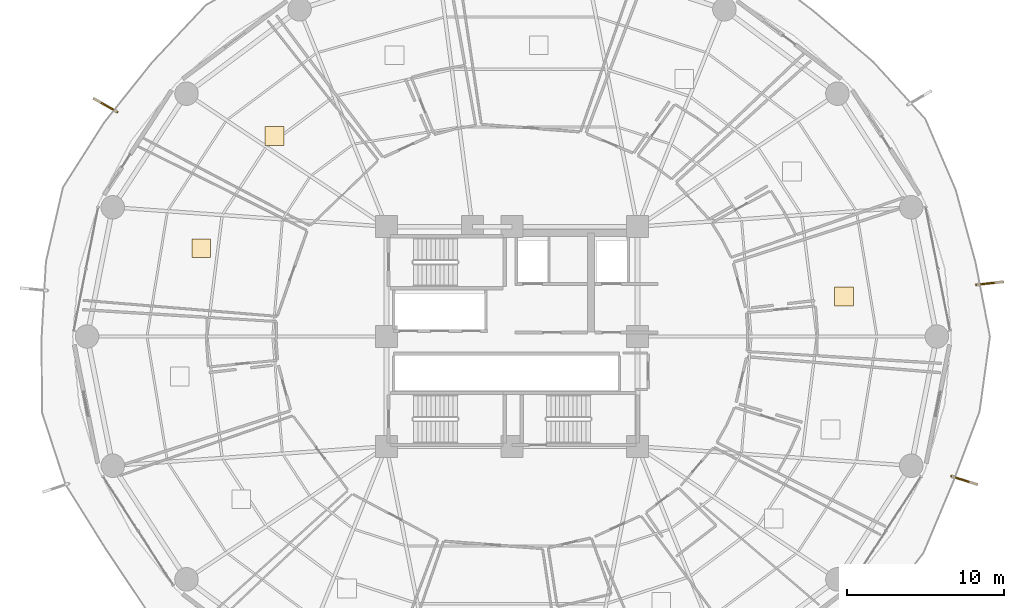
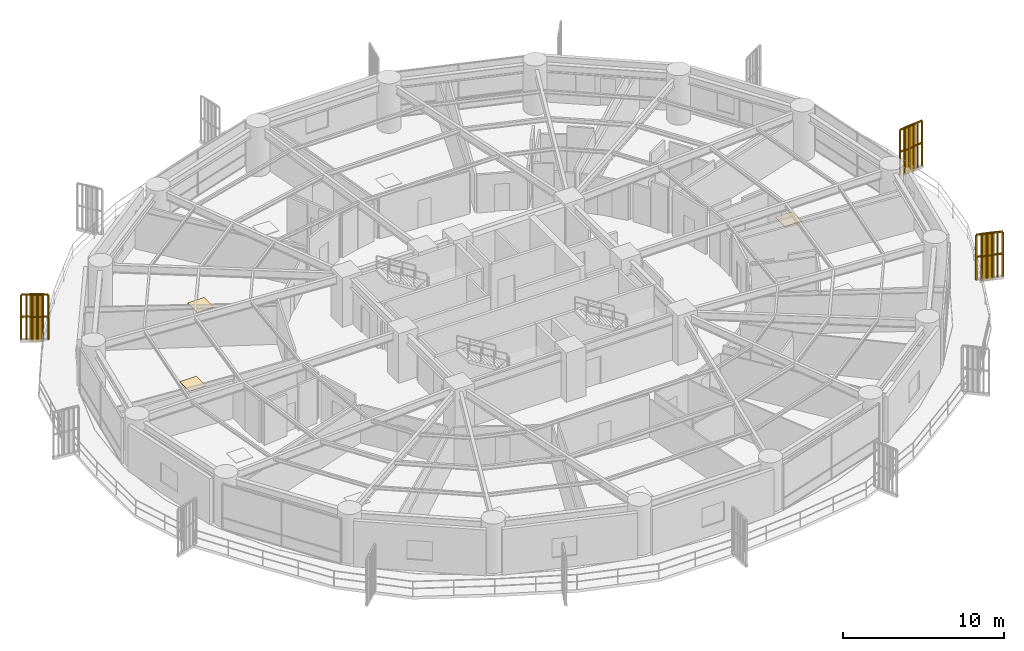
# One storey, part 30 of 32: 3 coverings, 3 railings, 3 shading devices.
"""IFC4 building model written with IfcOpenShell, lengths in metres."""

from ifc_helpers import new_model, si_unit, direction, frame, origin, origin_2d, place, context, subcontext, project, spatial, polyline, rectangle, outline, extrude, source, transform, mapped, material, layer, layer_set, type_object, element, save


model = new_model("IFC4")

# Units and contexts
model_context = context("Model", 3, precision=1e-05, world=origin(), true_north=direction((0.0, 1.0)))
body_context = subcontext(model_context, "Body", "Model", "MODEL_VIEW")
ifc_project = project(units=[si_unit("LENGTHUNIT", "METRE"), si_unit("AREAUNIT", "SQUARE_METRE"), si_unit("VOLUMEUNIT", "CUBIC_METRE"), si_unit("PLANEANGLEUNIT", "RADIAN"), si_unit("MASSUNIT", "GRAM", prefix="KILO")], contexts=[model_context])

# Site, building, storey
site_placement = place(None, origin())
site = spatial("IfcSite", under=ifc_project, at=site_placement, CompositionType="ELEMENT")
building_placement = place(site_placement, origin())
building = spatial("IfcBuilding", under=site, at=building_placement, Name="Kelanora Arch Commons", CompositionType="ELEMENT")
storey_placement = place(building_placement, frame((0.0, 0.0, 56.25)))
storey = spatial("IfcBuildingStorey", under=building, at=storey_placement, Name="L14", CompositionType="ELEMENT", Elevation=56.25)

# Railings
ifc_material_1 = material(Name="Anodised bronze vertical shading fin rib assembly")
railing_type = type_object("IfcRailingType", Name="RAIL-FIN-BRZ", PredefinedType="BALUSTRADE", material=ifc_material_1)
railing_1_placement = place(storey_placement, frame((48.83154296875, 72.32275390625, -0.02001953125)))
element("IfcRailing", 1, at=railing_1_placement, inside=storey, type_object=railing_type, Name="Sweeping Bronze Vertical Fin Blade L14-05", PredefinedType="BALUSTRADE", context=body_context, shape_type="SweptSolid", body=[
    extrude(outline(polyline([(0.06982421875, 0.0), (0.034912109375, 0.060546875), (-0.034912109375, 0.060546875), (-0.06982421875, 0.0), (-0.034912109375, -0.060546875), (0.034912109375, -0.060546875), (0.06982421875, 0.0)])), frame((0.0, 0.0, 3.419921875), z_axis=(-0.869102892751, 0.494631339294, 0.0), x_axis=(-0.494631339294, -0.869102892751, 0.0)), (0.0, 0.0, 1.0), 1.6923828125),
    extrude(outline(polyline([(0.06982421875, 0.0), (0.034912109375, 0.060546875), (-0.034912109375, 0.060546875), (-0.06982421875, 0.0), (-0.034912109375, -0.060546875), (0.034912109375, -0.060546875), (0.06982421875, 0.0)])), frame((0.0, 0.0, 1.7451171875), z_axis=(-0.869102892751, 0.494631339294, 0.0), x_axis=(-0.494631339294, -0.869102892751, 0.0)), (0.0, 0.0, 1.0), 1.6923828125),
    extrude(outline(polyline([(0.080078125, 0.0), (0.0400390625, 0.0693359375), (-0.0400390625, 0.0693359375), (-0.080078125, 0.0), (-0.0400390625, -0.0693359375), (0.0400390625, -0.0693359375), (0.080078125, 0.0)])), origin(), (0.0, 0.0, 1.0), 3.35009765625),
    extrude(outline(polyline([(0.080078125, 0.0), (0.0400390625, 0.0693359375), (-0.0400390625, 0.0693359375), (-0.080078125, 0.0), (-0.0400390625, -0.0693359375), (0.0400390625, -0.0693359375), (0.080078125, 0.0)])), frame((-0.294189453125, 0.16748046875, 0.0)), (0.0, 0.0, 1.0), 3.35009765625),
    extrude(outline(polyline([(0.080078125, 0.0), (0.0400390625, 0.0693359375), (-0.0400390625, 0.0693359375), (-0.080078125, 0.0), (-0.0400390625, -0.0693359375), (0.0400390625, -0.0693359375), (0.080078125, 0.0)])), frame((-0.58837890625, 0.3349609375, 0.0)), (0.0, 0.0, 1.0), 3.35009765625),
    extrude(outline(polyline([(0.080078125, 0.0), (0.0400390625, 0.0693359375), (-0.0400390625, 0.0693359375), (-0.080078125, 0.0), (-0.0400390625, -0.0693359375), (0.0400390625, -0.0693359375), (0.080078125, 0.0)])), frame((-0.882568359375, 0.502197265625, 0.0)), (0.0, 0.0, 1.0), 3.35009765625),
    extrude(outline(polyline([(0.080078125, 0.0), (0.0400390625, 0.0693359375), (-0.0400390625, 0.0693359375), (-0.080078125, 0.0), (-0.0400390625, -0.0693359375), (0.0400390625, -0.0693359375), (0.080078125, 0.0)])), frame((-1.1767578125, 0.669677734375, 0.0)), (0.0, 0.0, 1.0), 3.35009765625),
    extrude(outline(polyline([(0.080078125, 0.0), (0.0400390625, 0.0693359375), (-0.0400390625, 0.0693359375), (-0.080078125, 0.0), (-0.0400390625, -0.0693359375), (0.0400390625, -0.0693359375), (0.080078125, 0.0)])), frame((-1.470947265625, 0.837158203125, 0.0)), (0.0, 0.0, 1.0), 3.35009765625),
])
railing_2_placement = place(storey_placement, frame((102.01953125, 49.08837890625, -0.02001953125)))
element("IfcRailing", 2, at=railing_2_placement, inside=storey, type_object=railing_type, Name="Sweeping Bronze Vertical Fin Blade L14-13", PredefinedType="BALUSTRADE", context=body_context, shape_type="SweptSolid", body=[
    extrude(outline(polyline([(0.06982421875, 0.0), (0.034912109375, 0.060546875), (-0.034912109375, 0.060546875), (-0.06982421875, 0.0), (-0.034912109375, -0.060546875), (0.034912109375, -0.060546875), (0.06982421875, 0.0)])), frame((0.0, 0.0, 3.419921875), z_axis=(0.952976912573, -0.303042908024, 0.0), x_axis=(0.303042908024, 0.952976912573, 0.0)), (0.0, 0.0, 1.0), 1.692626953125),
    extrude(outline(polyline([(0.06982421875, 0.0), (0.034912109375, 0.060546875), (-0.034912109375, 0.060546875), (-0.06982421875, 0.0), (-0.034912109375, -0.060546875), (0.034912109375, -0.060546875), (0.06982421875, 0.0)])), frame((0.0, 0.0, 1.7451171875), z_axis=(0.952976912573, -0.303042908024, 0.0), x_axis=(0.303042908024, 0.952976912573, 0.0)), (0.0, 0.0, 1.0), 1.692626953125),
    extrude(outline(polyline([(0.080078125, 0.0), (0.0400390625, 0.0693359375), (-0.0400390625, 0.0693359375), (-0.080078125, 0.0), (-0.0400390625, -0.0693359375), (0.0400390625, -0.0693359375), (0.080078125, 0.0)])), origin(), (0.0, 0.0, 1.0), 3.35009765625),
    extrude(outline(polyline([(0.080078125, 0.0), (0.0400390625, 0.0693359375), (-0.0400390625, 0.0693359375), (-0.080078125, 0.0), (-0.0400390625, -0.0693359375), (0.0400390625, -0.0693359375), (0.080078125, 0.0)])), frame((0.322509765625, -0.1025390625, 0.0)), (0.0, 0.0, 1.0), 3.35009765625),
    extrude(outline(polyline([(0.080078125, 0.0), (0.0400390625, 0.0693359375), (-0.0400390625, 0.0693359375), (-0.080078125, 0.0), (-0.0400390625, -0.0693359375), (0.0400390625, -0.0693359375), (0.080078125, 0.0)])), frame((0.645263671875, -0.205078125, 0.0)), (0.0, 0.0, 1.0), 3.35009765625),
    extrude(outline(polyline([(0.080078125, 0.0), (0.0400390625, 0.0693359375), (-0.0400390625, 0.0693359375), (-0.080078125, 0.0), (-0.0400390625, -0.0693359375), (0.0400390625, -0.0693359375), (0.080078125, 0.0)])), frame((0.9677734375, -0.307861328125, 0.0)), (0.0, 0.0, 1.0), 3.35009765625),
    extrude(outline(polyline([(0.080078125, 0.0), (0.0400390625, 0.0693359375), (-0.0400390625, 0.0693359375), (-0.080078125, 0.0), (-0.0400390625, -0.0693359375), (0.0400390625, -0.0693359375), (0.080078125, 0.0)])), frame((1.29052734375, -0.410400390625, 0.0)), (0.0, 0.0, 1.0), 3.35009765625),
    extrude(outline(polyline([(0.080078125, 0.0), (0.0400390625, 0.0693359375), (-0.0400390625, 0.0693359375), (-0.080078125, 0.0), (-0.0400390625, -0.0693359375), (0.0400390625, -0.0693359375), (0.080078125, 0.0)])), frame((1.613037109375, -0.512939453125, 0.0)), (0.0, 0.0, 1.0), 3.35009765625),
])
railing_3_placement = place(storey_placement, frame((103.599853515625, 61.297607421875, -0.02001953125)))
element("IfcRailing", 3, at=railing_3_placement, inside=storey, type_object=railing_type, Name="Sweeping Bronze Vertical Fin Blade L14-14", PredefinedType="BALUSTRADE", context=body_context, shape_type="SweptSolid", body=[
    extrude(outline(polyline([(0.06982421875, 0.0), (0.034912109375, 0.060546875), (-0.034912109375, 0.060546875), (-0.06982421875, 0.0), (-0.034912109375, -0.060546875), (0.034912109375, -0.060546875), (0.06982421875, 0.0)])), frame((0.0, 0.0, 3.419921875), z_axis=(0.993844973886, 0.110779817118, 0.0), x_axis=(-0.110779817118, 0.993844973886, 0.0)), (0.0, 0.0, 1.0), 1.692626953125),
    extrude(outline(polyline([(0.06982421875, 0.0), (0.034912109375, 0.060546875), (-0.034912109375, 0.060546875), (-0.06982421875, 0.0), (-0.034912109375, -0.060546875), (0.034912109375, -0.060546875), (0.06982421875, 0.0)])), frame((0.0, 0.0, 1.7451171875), z_axis=(0.993844973886, 0.110779817118, 0.0), x_axis=(-0.110779817118, 0.993844973886, 0.0)), (0.0, 0.0, 1.0), 1.692626953125),
    extrude(outline(polyline([(0.080078125, 0.0), (0.0400390625, 0.0693359375), (-0.0400390625, 0.0693359375), (-0.080078125, 0.0), (-0.0400390625, -0.0693359375), (0.0400390625, -0.0693359375), (0.080078125, 0.0)])), origin(), (0.0, 0.0, 1.0), 3.35009765625),
    extrude(outline(polyline([(0.080078125, 0.0), (0.0400390625, 0.0693359375), (-0.0400390625, 0.0693359375), (-0.080078125, 0.0), (-0.0400390625, -0.0693359375), (0.0400390625, -0.0693359375), (0.080078125, 0.0)])), frame((0.33642578125, 0.03759765625, 0.0)), (0.0, 0.0, 1.0), 3.35009765625),
    extrude(outline(polyline([(0.080078125, 0.0), (0.0400390625, 0.0693359375), (-0.0400390625, 0.0693359375), (-0.080078125, 0.0), (-0.0400390625, -0.0693359375), (0.0400390625, -0.0693359375), (0.080078125, 0.0)])), frame((0.6728515625, 0.074951171875, 0.0)), (0.0, 0.0, 1.0), 3.35009765625),
    extrude(outline(polyline([(0.080078125, 0.0), (0.0400390625, 0.0693359375), (-0.0400390625, 0.0693359375), (-0.080078125, 0.0), (-0.0400390625, -0.0693359375), (0.0400390625, -0.0693359375), (0.080078125, 0.0)])), frame((1.00927734375, 0.112548828125, 0.0)), (0.0, 0.0, 1.0), 3.35009765625),
    extrude(outline(polyline([(0.080078125, 0.0), (0.0400390625, 0.0693359375), (-0.0400390625, 0.0693359375), (-0.080078125, 0.0), (-0.0400390625, -0.0693359375), (0.0400390625, -0.0693359375), (0.080078125, 0.0)])), frame((1.345703125, 0.14990234375, 0.0)), (0.0, 0.0, 1.0), 3.35009765625),
    extrude(outline(polyline([(0.080078125, 0.0), (0.0400390625, 0.0693359375), (-0.0400390625, 0.0693359375), (-0.080078125, 0.0), (-0.0400390625, -0.0693359375), (0.0400390625, -0.0693359375), (0.080078125, 0.0)])), frame((1.68212890625, 0.1875, 0.0)), (0.0, 0.0, 1.0), 3.35009765625),
])

# Shading devices
ifc_material_2 = material(Name="Terracotta ceramic-clad extruded aluminium fin", Category="masonry")
shading_device_type = type_object("IfcShadingDeviceType", Name="SHD-FIN-FLARE", PredefinedType="USERDEFINED", material=ifc_material_2)
shared_shape_1 = source(origin(), body_context, "Body", "SweptSolid", [
    extrude(rectangle(XDim=0.8798828125, YDim=0.090087890625, at=origin_2d()), origin(), (0.0, 0.0, 1.0), 3.610107421875),
])
for number, where, z_axis, x_axis, name in (
    (4, (48.205810546875, 72.6787109375, -0.14013671875), (0.0, 0.0, 1.0), (-0.869149881167, 0.494548768138, 0.0), "Sweeping Terracotta Fin L14-05"),
    (5, (102.705810546875, 48.870361328125, -0.14013671875), (0.0, 0.0, 1.0), (0.952979341517, -0.303035269633, 0.0), "Sweeping Terracotta Fin L14-13"),
    (6, (104.3154296875, 61.37744140625, -0.14013671875), (0.0, 0.0, 1.0), (0.993845496974, 0.110775124211, 0.0), "Sweeping Terracotta Fin L14-14"),
):
    element("IfcShadingDevice", number, at=place(storey_placement, frame(where, z_axis=z_axis, x_axis=x_axis)), inside=storey, type_object=shading_device_type, Name=name, ObjectType="FIN", PredefinedType="USERDEFINED", context=body_context, shape_type="MappedRepresentation", body=[
        mapped(shared_shape_1, transform((0.0, 0.0, 0.0), scale=1.0)),
    ])

# Coverings
ifc_material_3 = material(Name="Polished local granite terrazzo flooring", Category="masonry")
ifc_layer = layer(ifc_material_3, 0.030029296875)
ifc_layer_set = layer_set([ifc_layer], Name="Polished local granite terrazzo flooring")
covering_type = type_object("IfcCoveringType", Name="COV-FLR-TER", PredefinedType="FLOORING", material=ifc_layer_set)
shared_shape_2 = source(origin(), body_context, "Body", "SweptSolid", [
    extrude(rectangle(XDim=1.199951171875, YDim=1.199951171875, at=origin_2d()), origin(), (0.0, 0.0, 1.0), 0.030029296875),
])
for number, where, z_axis, x_axis, name in (
    (7, (58.874755859375, 70.771728515625, 0.0), (0.0, 0.0, 1.0), (1.0, 0.0, 0.0), "Quiet Seminar Study Room L14-05 Terrazzo Finish"),
    (8, (54.191162109375, 63.62353515625, 0.0), (0.0, 0.0, 1.0), (1.0, 0.0, 0.0), "Social Sky Lounge L14-06 Terrazzo Finish"),
    (9, (95.17041015625, 60.547607421875, 0.0), (0.0, 0.0, 1.0), (1.0, 0.0, 0.0), "Co-Living Studio L14-14 Terrazzo Finish"),
):
    element("IfcCovering", number, at=place(storey_placement, frame(where, z_axis=z_axis, x_axis=x_axis)), inside=storey, type_object=covering_type, Name=name, PredefinedType="FLOORING", context=body_context, shape_type="MappedRepresentation", body=[
        mapped(shared_shape_2, transform((0.0, 0.0, 0.0), scale=1.0)),
    ])

save(model, "model.ifc")
